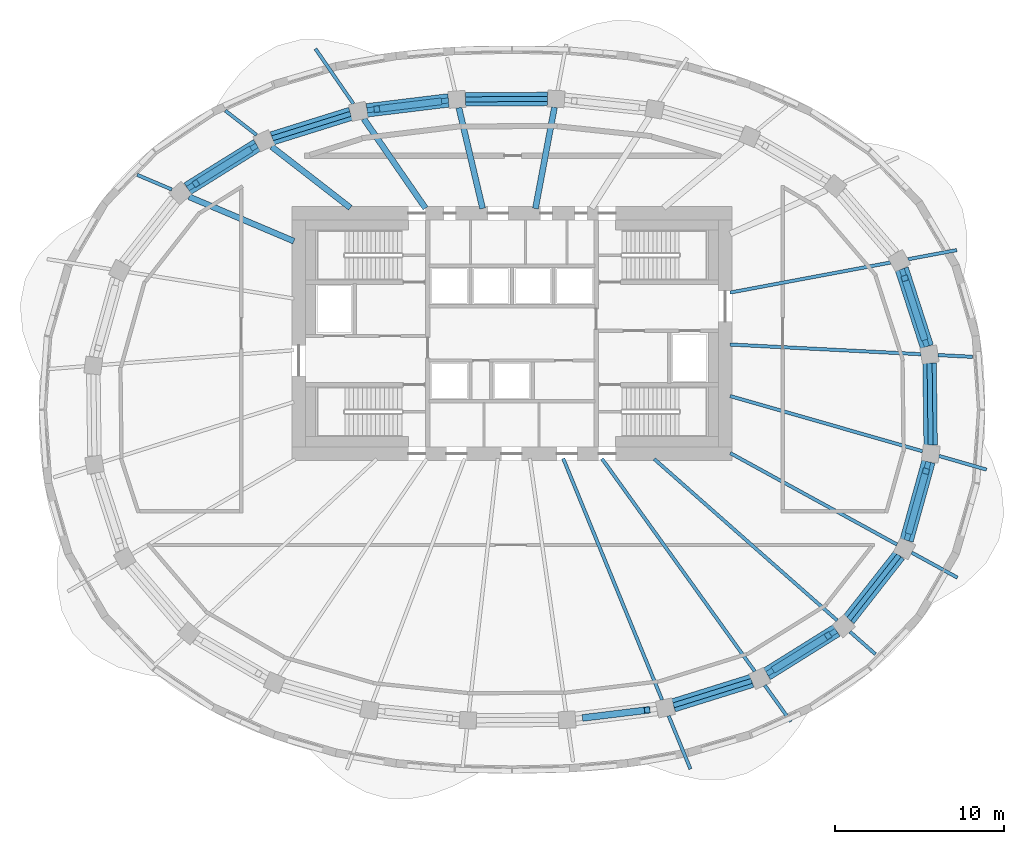
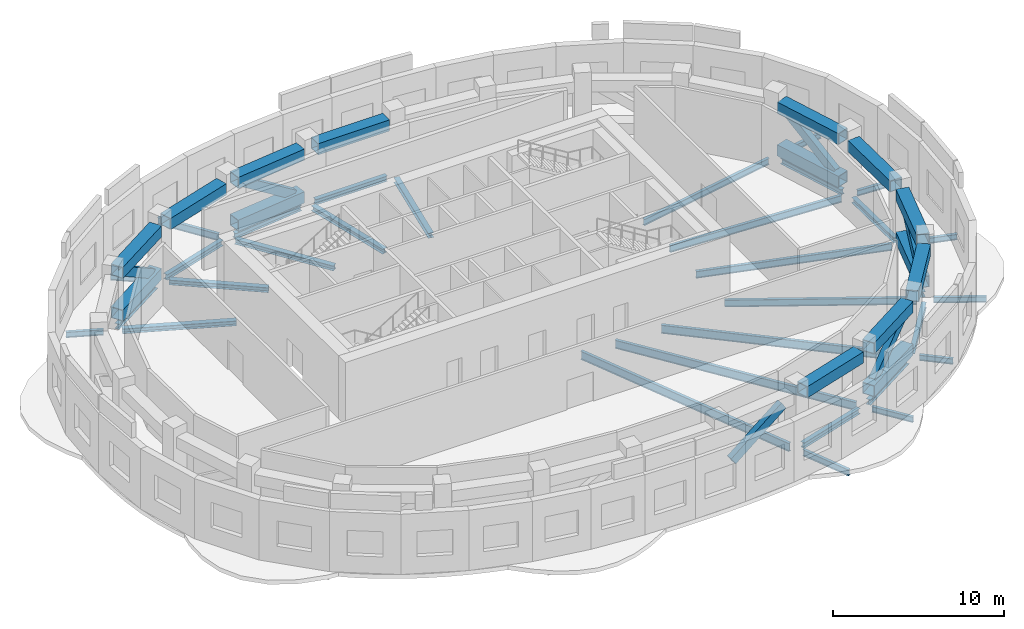
# One storey, part 2 of 9: 32 beams, 21 members.
"""IFC4 building model written with IfcOpenShell, lengths in metres."""

import ifcopenshell
import ifcopenshell.guid

model = None  # the IFC model being written
_history = None  # IfcOwnerHistory: only IFC2X3 demands one
_inside = {}  # id of a spatial element -> (the spatial element, [elements in it])
_under = {}  # id of a project, library or spatial element -> (it, [spatial elements below it])
_declared = {}  # id of a project -> (the project, [libraries it declares])
_typed = {}  # id of a type object -> (the type object, [elements of that type])
_made_of = {}  # id of a material, layer set ... -> (it, [elements and type objects made of it])


def new_model(schema):
    """Start an empty IFC model of exactly this schema.

    Asked for "IFC4X3", IfcOpenShell would pick the latest addendum, in which some entities
    have other attributes; the version numbers below select the first issue.
    IFC2X3 requires an IfcOwnerHistory on every rooted entity: one is made here for all.
    """
    global model, _history
    if schema == "IFC4X3":
        model = ifcopenshell.file(schema_version=(4, 3, 0, 0))
    else:
        model = ifcopenshell.file(schema=schema)
    _inside.clear()
    _under.clear()
    _declared.clear()
    _typed.clear()
    _made_of.clear()
    _history = None
    if model.schema == "IFC2X3":
        org = make("IfcOrganization", Name="unknown")
        user = make(
            "IfcPersonAndOrganization",
            ThePerson=make("IfcPerson", FamilyName="unknown"),
            TheOrganization=org,
        )
        app = make(
            "IfcApplication",
            ApplicationDeveloper=org,
            Version="unknown",
            ApplicationFullName="unknown",
            ApplicationIdentifier="unknown",
        )
        _history = make(
            "IfcOwnerHistory",
            OwningUser=user,
            OwningApplication=app,
            ChangeAction="ADDED",
            CreationDate=0,
        )
    return model


def make(cls, **values):
    """One entity of the class cls with the attributes given. An attribute that is None is left unset."""
    return model.create_entity(
        cls, **{name: value for name, value in values.items() if value is not None}
    )


def rooted(cls, **values):
    """An entity with a GlobalId (a new one), such as an element, a storey or a relation."""
    return make(cls, GlobalId=ifcopenshell.guid.new(), OwnerHistory=_history, **values)


def si_unit(unit_type, name, prefix=None):
    """IfcSIUnit, for example si_unit("LENGTHUNIT", "METRE", prefix="MILLI")."""
    return make("IfcSIUnit", UnitType=unit_type, Prefix=prefix, Name=name)


def assignment(units):
    """IfcUnitAssignment: the units of a project."""
    return None if units is None else make("IfcUnitAssignment", Units=units)


def point(xyz):
    """IfcCartesianPoint."""
    return None if xyz is None else make("IfcCartesianPoint", Coordinates=xyz)


def direction(xyz):
    """IfcDirection."""
    return None if xyz is None else make("IfcDirection", DirectionRatios=xyz)


def frame(location, z_axis=None, x_axis=None):
    """IfcAxis2Placement3D, a coordinate frame: its origin and axes. An axis left out is left unset."""
    return make(
        "IfcAxis2Placement3D",
        Location=point(location),
        Axis=direction(z_axis),
        RefDirection=direction(x_axis),
    )


def frame_2d(location, x_axis=None):
    """IfcAxis2Placement2D, a coordinate frame in the plane: its origin and x axis."""
    return make(
        "IfcAxis2Placement2D", Location=point(location), RefDirection=direction(x_axis)
    )


def origin():
    """The frame at (0, 0, 0) with its axes left unset."""
    return frame((0.0, 0.0, 0.0))


def origin_2d():
    """The frame at (0, 0) in the plane with its x axis left unset."""
    return frame_2d((0.0, 0.0))


def place(relative_to, where):
    """IfcLocalPlacement: puts the frame where relative to a parent placement (None: the world)."""
    return make(
        "IfcLocalPlacement", PlacementRelTo=relative_to, RelativePlacement=where
    )


def context(
    kind, dimensions, precision=None, world=None, true_north=None, identifier=None
):
    """IfcGeometricRepresentationContext, for example the 3D "Model" context."""
    return make(
        "IfcGeometricRepresentationContext",
        ContextIdentifier=identifier,
        ContextType=kind,
        CoordinateSpaceDimension=dimensions,
        Precision=precision,
        WorldCoordinateSystem=world,
        TrueNorth=true_north,
    )


def subcontext(parent, identifier, kind, view, scale=None):
    """IfcGeometricRepresentationSubContext, for example "Body" below "Model"."""
    return make(
        "IfcGeometricRepresentationSubContext",
        ContextIdentifier=identifier,
        ContextType=kind,
        ParentContext=parent,
        TargetScale=scale,
        TargetView=view,
    )


def project(units=None, contexts=None):
    """IfcProject with its units and contexts."""
    return rooted(
        "IfcProject",
        Name="project",
        RepresentationContexts=contexts,
        UnitsInContext=assignment(units),
    )


def spatial(cls, under=None, at=None, **own):
    """A site, building, storey or space (cls), placed at a placement, below another one or the project."""
    s = rooted(cls, ObjectPlacement=at, **own)
    if under is not None:
        _under.setdefault(under.id(), (under, []))[1].append(s)
    return s


def profile(cls, at=None, kind="AREA", **sizes):
    """A parametric profile (cls). Its sizes go by their IFC names, for example OverallWidth=200.0."""
    return make(cls, ProfileType=kind, Position=at, **sizes)


def hollow_rectangle(**sizes):
    """IfcRectangleHollowProfileDef."""
    return profile("IfcRectangleHollowProfileDef", **sizes)


def i_section(**sizes):
    """IfcIShapeProfileDef."""
    return profile("IfcIShapeProfileDef", **sizes)


def extrude(swept, where, along, depth):
    """IfcExtrudedAreaSolid: the profile swept, set in the frame where, extruded along a direction by depth."""
    return make(
        "IfcExtrudedAreaSolid",
        SweptArea=swept,
        Position=where,
        ExtrudedDirection=direction(along),
        Depth=depth,
    )


def shape(context_of_items, identifier, shape_type, items):
    """IfcShapeRepresentation: the items that make up one representation, for example the "Body"."""
    return make(
        "IfcShapeRepresentation",
        ContextOfItems=context_of_items,
        RepresentationIdentifier=identifier,
        RepresentationType=shape_type,
        Items=items,
    )


def material(Name=None, Category=None):
    """IfcMaterial."""
    return make("IfcMaterial", Name=Name, Category=Category)


def material_profile(
    of_material, cross_section, Name=None, Category=None, Priority=None
):
    """IfcMaterialProfile: a cross section and its material."""
    return make(
        "IfcMaterialProfile",
        Name=Name,
        Material=of_material,
        Profile=cross_section,
        Priority=Priority,
        Category=Category,
    )


def profile_set(profiles, Name=None, composite=None):
    """IfcMaterialProfileSet."""
    return make(
        "IfcMaterialProfileSet",
        Name=Name,
        MaterialProfiles=profiles,
        CompositeProfile=composite,
    )


def made_of(thing, what):
    """Note that an element or type object is made of a material, layer set ...; save() writes the relation."""
    if what is not None:
        _made_of.setdefault(what.id(), (what, []))[1].append(thing)
    return thing


def type_object(cls, material=None, **own):
    """A type object (cls), such as IfcWallType, which elements share."""
    return made_of(rooted(cls, **own), material)


def element(
    cls,
    number,
    at=None,
    inside=None,
    cuts=None,
    type_object=None,
    material=None,
    context=None,
    identifier="Body",
    shape_type=None,
    held_by="IfcProductDefinitionShape",
    body=None,
    shapes=None,
    **own,
):
    """One element of the class cls, such as IfcWall. Its Tag is "e" and its number.

    at: its placement. inside: the storey or other place that contains it. cuts: it is an
    opening in that element (IfcRelVoidsElement). A single representation is given by context,
    identifier, shape_type and body (its items); several are given by shapes. held_by: the class
    of the entity that holds the representations. save() writes the other relations.
    """
    e = rooted(cls, Tag="e%d" % number, ObjectPlacement=at, **own)
    if body is not None:
        shapes = [shape(context, identifier, shape_type, body)]
    if shapes is not None:
        e.Representation = make(held_by, Representations=shapes)
    if inside is not None:
        _inside.setdefault(inside.id(), (inside, []))[1].append(e)
    if cuts is not None:
        rooted(
            "IfcRelVoidsElement", RelatingBuildingElement=cuts, RelatedOpeningElement=e
        )
    if type_object is not None:
        _typed.setdefault(type_object.id(), (type_object, []))[1].append(e)
    return made_of(e, material)


def aggregate(whole, parts):
    """IfcRelAggregates: a whole, such as a stair, and the parts it consists of."""
    return rooted("IfcRelAggregates", RelatingObject=whole, RelatedObjects=parts)


def save(model, path):
    """Write the relations noted so far, then the file.

    IfcRelAggregates (storeys below a building ...), IfcRelContainedInSpatialStructure (elements
    in a storey), IfcRelDefinesByType, IfcRelAssociatesMaterial and IfcRelDeclares: one each for
    every whole, place, type object, material and project.
    """
    for whole, parts in _under.values():
        aggregate(whole, parts)
    for where, things in _inside.values():
        rooted(
            "IfcRelContainedInSpatialStructure",
            RelatedElements=things,
            RelatingStructure=where,
        )
    for kind, things in _typed.values():
        rooted("IfcRelDefinesByType", RelatedObjects=things, RelatingType=kind)
    for what, things in _made_of.values():
        rooted("IfcRelAssociatesMaterial", RelatedObjects=things, RelatingMaterial=what)
    for by, libraries in _declared.values():
        rooted("IfcRelDeclares", RelatingContext=by, RelatedDefinitions=libraries)
    model.write(path)


model = new_model("IFC4")

# Units and contexts
model_context = context("Model", 3, precision=1e-05, world=origin(), true_north=direction((0.0, 1.0)))
body_context = subcontext(model_context, "Body", "Model", "MODEL_VIEW")
ifc_project = project(units=[si_unit("LENGTHUNIT", "METRE"), si_unit("AREAUNIT", "SQUARE_METRE"), si_unit("VOLUMEUNIT", "CUBIC_METRE"), si_unit("PLANEANGLEUNIT", "RADIAN"), si_unit("MASSUNIT", "GRAM", prefix="KILO")], contexts=[model_context])

# Site, building, storey
site_placement = place(None, origin())
site = spatial("IfcSite", under=ifc_project, at=site_placement, CompositionType="ELEMENT")
building_placement = place(site_placement, origin())
building = spatial("IfcBuilding", under=site, at=building_placement, Name="Rubra Terraces Tower", CompositionType="ELEMENT")
storey_placement = place(building_placement, frame((0.0, 0.0, 216.89990234375)))
storey = spatial("IfcBuildingStorey", under=building, at=storey_placement, Name="L53", CompositionType="ELEMENT", Elevation=216.89990234375)

# Members
ifc_material = material(Name="Steel Q355B", Category="steel")
ifc_material_profile_1 = material_profile(ifc_material, hollow_rectangle(XDim=0.800048828125, YDim=0.800048828125, WallThickness=0.0400390625, at=origin_2d()), Name="BOX 800x800x40")
ifc_profile_set_1 = profile_set([ifc_material_profile_1], Name="Steel Q355B")
member_type_1 = type_object("IfcMemberType", Name="BELT TRUSS BOTTOM CHORD R5 BOX 800x800x40", PredefinedType="CHORD", material=ifc_profile_set_1)
member_1_placement = place(storey_placement, frame((24.514892578125, 3.72412109375, 0.400146484375), z_axis=(-0.307431894186, 0.951570086981, 0.0), x_axis=(-0.951570086981, -0.307431894186, 0.0)))
element("IfcMember", 1, at=member_1_placement, inside=storey, type_object=member_type_1, Name="BELT TRUSS CHORD R5", PredefinedType="CHORD", context=body_context, shape_type="SweptSolid", body=[
    extrude(hollow_rectangle(XDim=0.800048828125, YDim=0.800048828125, WallThickness=0.0400390625, at=origin_2d()), origin(), (0.0, 0.0, 1.0), 4.8203125),
])
member_2_placement = place(storey_placement, frame((-3.75, 18.27001953125, 0.400146484375), z_axis=(-0.992706801256, -0.120553750421, 0.0), x_axis=(0.120553750421, -0.992706801256, 0.0)))
element("IfcMember", 2, at=member_2_placement, inside=storey, type_object=member_type_1, Name="BELT TRUSS CHORD R5", PredefinedType="CHORD", context=body_context, shape_type="SweptSolid", body=[
    extrude(hollow_rectangle(XDim=0.800048828125, YDim=0.800048828125, WallThickness=0.0400390625, at=origin_2d()), origin(), (0.0, 0.0, 1.0), 4.852294921875),
])
for number, where, z_axis, x_axis, name in (
    (3, (-15.06689453125, 15.615966796875, 0.400146484375), (-0.848253468241, -0.529590458389, 0.0), (0.529590458389, -0.848253468241, 0.0), "BELT TRUSS CHORD R5"),
    (4, (15.06689453125, -15.615966796875, 0.400146484375), (0.848253468241, 0.529590458389, 0.0), (-0.529590458389, 0.848253468241, 0.0), "BELT TRUSS CHORD R5"),
):
    element("IfcMember", number, at=place(storey_placement, frame(where, z_axis=z_axis, x_axis=x_axis)), inside=storey, type_object=member_type_1, Name=name, PredefinedType="CHORD", context=body_context, shape_type="SweptSolid", body=[
        extrude(hollow_rectangle(XDim=0.800048828125, YDim=0.800048828125, WallThickness=0.0400390625, at=origin_2d()), origin(), (0.0, 0.0, 1.0), 4.8359375),
    ])
member_3_placement = place(storey_placement, frame((23.319091796875, -7.72802734375, 0.400146484375), z_axis=(0.267445424501, 0.963573009644, 0.0), x_axis=(-0.963573009644, 0.267445424501, 0.0)))
element("IfcMember", 5, at=member_3_placement, inside=storey, type_object=member_type_1, Name="BELT TRUSS CHORD R5", PredefinedType="CHORD", context=body_context, shape_type="SweptSolid", body=[
    extrude(hollow_rectangle(XDim=0.800048828125, YDim=0.800048828125, WallThickness=0.0400390625, at=origin_2d()), origin(), (0.0, 0.0, 1.0), 4.82275390625),
])
ifc_material_profile_2 = material_profile(ifc_material, hollow_rectangle(XDim=0.39990234375, YDim=0.60009765625, WallThickness=0.02490234375, at=origin_2d()), Name="BOX 600x400x25")
ifc_profile_set_2 = profile_set([ifc_material_profile_2], Name="Steel Q355B")
member_type_2 = type_object("IfcMemberType", Name="BELT TRUSS DIAGONAL R5 BOX 600x400x25", PredefinedType="BRACE", material=ifc_profile_set_2)
member_4_placement = place(storey_placement, frame((24.3369140625, 4.27392578125, 0.7001953125), z_axis=(-0.255318687059, 0.79070182291, 0.556419801307), x_axis=(-0.951619408017, -0.307279192731, 0.0)))
element("IfcMember", 6, at=member_4_placement, inside=storey, type_object=member_type_2, Name="BELT TRUSS DIAGONAL R5", PredefinedType="BRACE", context=body_context, shape_type="SweptSolid", body=[
    extrude(hollow_rectangle(XDim=0.39990234375, YDim=0.60009765625, WallThickness=0.02490234375, at=origin_2d()), origin(), (0.0, 0.0, 1.0), 4.41015625),
])
member_5_placement = place(storey_placement, frame((-4.327880859375, 18.199951171875, 0.7001953125), z_axis=(-0.826472494613, -0.100470749378, 0.553939386727), x_axis=(0.120677322458, -0.992691786933, 0.0)))
element("IfcMember", 7, at=member_5_placement, inside=storey, type_object=member_type_2, Name="BELT TRUSS DIAGONAL R5", PredefinedType="BRACE", context=body_context, shape_type="SweptSolid", body=[
    extrude(hollow_rectangle(XDim=0.39990234375, YDim=0.60009765625, WallThickness=0.02490234375, at=origin_2d()), origin(), (0.0, 0.0, 1.0), 4.429931640625),
])
member_6_placement = place(storey_placement, frame((-15.55908203125, 15.30908203125, 0.7001953125), z_axis=(-0.70545989152, -0.440532662663, 0.555209252969), x_axis=(0.529670549679, -0.848203459556, 0.0)))
element("IfcMember", 8, at=member_6_placement, inside=storey, type_object=member_type_2, Name="BELT TRUSS DIAGONAL R5", PredefinedType="BRACE", context=body_context, shape_type="SweptSolid", body=[
    extrude(hollow_rectangle(XDim=0.39990234375, YDim=0.60009765625, WallThickness=0.02490234375, at=origin_2d()), origin(), (0.0, 0.0, 1.0), 4.419677734375),
])
member_7_placement = place(storey_placement, frame((4.327880859375, -18.199951171875, 0.7001953125), z_axis=(0.826472494613, 0.100470749378, 0.553939386727), x_axis=(-0.120677322458, 0.992691786933, 0.0)))
element("IfcMember", 9, at=member_7_placement, inside=storey, type_object=member_type_2, Name="BELT TRUSS DIAGONAL R5", PredefinedType="BRACE", context=body_context, shape_type="SweptSolid", body=[
    extrude(hollow_rectangle(XDim=0.39990234375, YDim=0.60009765625, WallThickness=0.02490234375, at=origin_2d()), origin(), (0.0, 0.0, 1.0), 4.429931640625),
])
member_8_placement = place(storey_placement, frame((15.55908203125, -15.30908203125, 0.7001953125), z_axis=(0.70545989152, 0.440532662663, 0.555209252969), x_axis=(-0.529670549679, 0.848203459556, 0.0)))
element("IfcMember", 10, at=member_8_placement, inside=storey, type_object=member_type_2, Name="BELT TRUSS DIAGONAL R5", PredefinedType="BRACE", context=body_context, shape_type="SweptSolid", body=[
    extrude(hollow_rectangle(XDim=0.39990234375, YDim=0.60009765625, WallThickness=0.02490234375, at=origin_2d()), origin(), (0.0, 0.0, 1.0), 4.419677734375),
])
member_9_placement = place(storey_placement, frame((23.47412109375, -7.1708984375, 0.7001953125), z_axis=(0.22212942363, 0.800805901682, 0.556208977804), x_axis=(-0.96361610708, 0.267290101155, 0.0)))
element("IfcMember", 11, at=member_9_placement, inside=storey, type_object=member_type_2, Name="BELT TRUSS DIAGONAL R5", PredefinedType="BRACE", context=body_context, shape_type="SweptSolid", body=[
    extrude(hollow_rectangle(XDim=0.39990234375, YDim=0.60009765625, WallThickness=0.02490234375, at=origin_2d()), origin(), (0.0, 0.0, 1.0), 4.411865234375),
])
ifc_material_profile_3 = material_profile(ifc_material, hollow_rectangle(XDim=0.800048828125, YDim=0.800048828125, WallThickness=0.0400390625, at=origin_2d()), Name="BOX 800x800x40")
ifc_profile_set_3 = profile_set([ifc_material_profile_3], Name="Steel Q355B")
member_type_3 = type_object("IfcMemberType", Name="BELT TRUSS TOP CHORD R5 BOX 800x800x40", PredefinedType="CHORD", material=ifc_profile_set_3)
member_10_placement = place(storey_placement, frame((24.514892578125, 3.72412109375, 3.4541015625), z_axis=(-0.307431894186, 0.951570086981, 0.0), x_axis=(-0.951570086981, -0.307431894186, 0.0)))
element("IfcMember", 12, at=member_10_placement, inside=storey, type_object=member_type_3, Name="BELT TRUSS CHORD R5", PredefinedType="CHORD", context=body_context, shape_type="SweptSolid", body=[
    extrude(hollow_rectangle(XDim=0.800048828125, YDim=0.800048828125, WallThickness=0.0400390625, at=origin_2d()), origin(), (0.0, 0.0, 1.0), 4.8203125),
])
member_11_placement = place(storey_placement, frame((2.10205078125, 18.35595703125, 3.4541015625), z_axis=(-0.999987862068, -0.00492703924, 0.0), x_axis=(0.00492703924, -0.999987862068, 0.0)))
element("IfcMember", 13, at=member_11_placement, inside=storey, type_object=member_type_3, Name="BELT TRUSS CHORD R5", PredefinedType="CHORD", context=body_context, shape_type="SweptSolid", body=[
    extrude(hollow_rectangle(XDim=0.800048828125, YDim=0.800048828125, WallThickness=0.0400390625, at=origin_2d()), origin(), (0.0, 0.0, 1.0), 4.85595703125),
])
member_12_placement = place(storey_placement, frame((-3.75, 18.27001953125, 3.4541015625), z_axis=(-0.992706801256, -0.120553750421, 0.0), x_axis=(0.120553750421, -0.992706801256, 0.0)))
element("IfcMember", 14, at=member_12_placement, inside=storey, type_object=member_type_3, Name="BELT TRUSS CHORD R5", PredefinedType="CHORD", context=body_context, shape_type="SweptSolid", body=[
    extrude(hollow_rectangle(XDim=0.800048828125, YDim=0.800048828125, WallThickness=0.0400390625, at=origin_2d()), origin(), (0.0, 0.0, 1.0), 4.852294921875),
])
member_13_placement = place(storey_placement, frame((-9.5400390625, 17.47607421875, 3.4541015625), z_axis=(-0.954454878123, -0.298355300988, 0.0), x_axis=(0.298355300988, -0.954454878123, 0.0)))
element("IfcMember", 15, at=member_13_placement, inside=storey, type_object=member_type_3, Name="BELT TRUSS CHORD R5", PredefinedType="CHORD", context=body_context, shape_type="SweptSolid", body=[
    extrude(hollow_rectangle(XDim=0.800048828125, YDim=0.800048828125, WallThickness=0.0400390625, at=origin_2d()), origin(), (0.0, 0.0, 1.0), 4.8466796875),
])
member_14_placement = place(storey_placement, frame((-15.06689453125, 15.615966796875, 3.4541015625), z_axis=(-0.848253468241, -0.529590458389, 0.0), x_axis=(0.529590458389, -0.848253468241, 0.0)))
element("IfcMember", 16, at=member_14_placement, inside=storey, type_object=member_type_3, Name="BELT TRUSS CHORD R5", PredefinedType="CHORD", context=body_context, shape_type="SweptSolid", body=[
    extrude(hollow_rectangle(XDim=0.800048828125, YDim=0.800048828125, WallThickness=0.0400390625, at=origin_2d()), origin(), (0.0, 0.0, 1.0), 4.8359375),
])
member_15_placement = place(storey_placement, frame((9.5400390625, -17.47607421875, 3.4541015625), z_axis=(0.954454878123, 0.298355300988, 0.0), x_axis=(-0.298355300988, 0.954454878123, 0.0)))
element("IfcMember", 17, at=member_15_placement, inside=storey, type_object=member_type_3, Name="BELT TRUSS CHORD R5", PredefinedType="CHORD", context=body_context, shape_type="SweptSolid", body=[
    extrude(hollow_rectangle(XDim=0.800048828125, YDim=0.800048828125, WallThickness=0.0400390625, at=origin_2d()), origin(), (0.0, 0.0, 1.0), 4.8466796875),
])
member_16_placement = place(storey_placement, frame((15.06689453125, -15.615966796875, 3.4541015625), z_axis=(0.848253468241, 0.529590458389, 0.0), x_axis=(-0.529590458389, 0.848253468241, 0.0)))
element("IfcMember", 18, at=member_16_placement, inside=storey, type_object=member_type_3, Name="BELT TRUSS CHORD R5", PredefinedType="CHORD", context=body_context, shape_type="SweptSolid", body=[
    extrude(hollow_rectangle(XDim=0.800048828125, YDim=0.800048828125, WallThickness=0.0400390625, at=origin_2d()), origin(), (0.0, 0.0, 1.0), 4.8359375),
])
member_17_placement = place(storey_placement, frame((19.902099609375, -12.39697265625, 3.4541015625), z_axis=(0.616913035457, 0.787031325097, 0.0), x_axis=(-0.787031325097, 0.616913035457, 0.0)))
element("IfcMember", 19, at=member_17_placement, inside=storey, type_object=member_type_3, Name="BELT TRUSS CHORD R5", PredefinedType="CHORD", context=body_context, shape_type="SweptSolid", body=[
    extrude(hollow_rectangle(XDim=0.800048828125, YDim=0.800048828125, WallThickness=0.0400390625, at=origin_2d()), origin(), (0.0, 0.0, 1.0), 4.820556640625),
])
member_18_placement = place(storey_placement, frame((23.319091796875, -7.72802734375, 3.4541015625), z_axis=(0.267445424501, 0.963573009644, 0.0), x_axis=(-0.963573009644, 0.267445424501, 0.0)))
element("IfcMember", 20, at=member_18_placement, inside=storey, type_object=member_type_3, Name="BELT TRUSS CHORD R5", PredefinedType="CHORD", context=body_context, shape_type="SweptSolid", body=[
    extrude(hollow_rectangle(XDim=0.800048828125, YDim=0.800048828125, WallThickness=0.0400390625, at=origin_2d()), origin(), (0.0, 0.0, 1.0), 4.82275390625),
])
member_19_placement = place(storey_placement, frame((24.737060546875, -2.09912109375, 3.4541015625), z_axis=(-0.012792344936, 0.999918174608, 0.0), x_axis=(-0.999918174608, -0.012792344936, 0.0)))
element("IfcMember", 21, at=member_19_placement, inside=storey, type_object=member_type_3, Name="BELT TRUSS CHORD R5", PredefinedType="CHORD", context=body_context, shape_type="SweptSolid", body=[
    extrude(hollow_rectangle(XDim=0.800048828125, YDim=0.800048828125, WallThickness=0.0400390625, at=origin_2d()), origin(), (0.0, 0.0, 1.0), 4.84765625),
])

# Beams
ifc_material_profile_4 = material_profile(ifc_material, i_section(OverallWidth=0.199951171875, OverallDepth=0.39990234375, WebThickness=0.008056640625, FlangeThickness=0.012939453125, at=origin_2d()), Name="HN 400x200x8x13")
ifc_profile_set_4 = profile_set([ifc_material_profile_4], Name="Steel Q355B")
beam_type_1 = type_object("IfcBeamType", Name="CANTILEVER BEAM HN 400x200x8x13", PredefinedType="BEAM", material=ifc_profile_set_4)
beam_1_placement = place(storey_placement, frame((25.179931640625, 3.221923828125, -0.5), z_axis=(0.99870842359, -0.05080831281, 0.0), x_axis=(0.05080831281, 0.99870842359, 0.0)))
element("IfcBeam", 22, at=beam_1_placement, inside=storey, type_object=beam_type_1, Name="beam-L53-cant-01", PredefinedType="BEAM", context=body_context, shape_type="SweptSolid", body=[
    extrude(i_section(OverallWidth=0.199951171875, OverallDepth=0.39990234375, WebThickness=0.008056640625, FlangeThickness=0.012939453125, at=origin_2d()), origin(), (0.0, 0.0, 1.0), 2.02783203125),
])
beam_2_placement = place(storey_placement, frame((23.39794921875, 8.884033203125, -0.5), z_axis=(0.982856170911, 0.184373933356, 0.0), x_axis=(-0.184373933356, 0.982856170911, 0.0)))
element("IfcBeam", 23, at=beam_2_placement, inside=storey, type_object=beam_type_1, Name="beam-L53-cant-02", PredefinedType="BEAM", context=body_context, shape_type="SweptSolid", body=[
    extrude(i_section(OverallWidth=0.199951171875, OverallDepth=0.39990234375, WebThickness=0.008056640625, FlangeThickness=0.012939453125, at=origin_2d()), origin(), (0.0, 0.0, 1.0), 2.934326171875),
])
beam_3_placement = place(storey_placement, frame((-15.087890625, 16.22705078125, -0.5), z_axis=(-0.789487046364, 0.613767222669, 0.0), x_axis=(-0.613767222669, -0.789487046364, 0.0)))
element("IfcBeam", 24, at=beam_3_placement, inside=storey, type_object=beam_type_1, Name="beam-L53-cant-09", PredefinedType="BEAM", context=body_context, shape_type="SweptSolid", body=[
    extrude(i_section(OverallWidth=0.199951171875, OverallDepth=0.39990234375, WebThickness=0.008056640625, FlangeThickness=0.012939453125, at=origin_2d()), origin(), (0.0, 0.0, 1.0), 2.339599609375),
])
beam_4_placement = place(storey_placement, frame((-20.10205078125, 13.0048828125, -0.5), z_axis=(-0.920797229699, 0.390041615445, 0.0), x_axis=(-0.390041615445, -0.920797229699, 0.0)))
element("IfcBeam", 25, at=beam_4_placement, inside=storey, type_object=beam_type_1, Name="beam-L53-cant-10", PredefinedType="BEAM", context=body_context, shape_type="SweptSolid", body=[
    extrude(i_section(OverallWidth=0.199951171875, OverallDepth=0.39990234375, WebThickness=0.008056640625, FlangeThickness=0.012939453125, at=origin_2d()), origin(), (0.0, 0.0, 1.0), 2.220703125),
])
beam_5_placement = place(storey_placement, frame((14.93994140625, -16.294921875, -0.5), z_axis=(0.583708638616, -0.811963192026, 0.0), x_axis=(0.811963192026, 0.583708638616, 0.0)))
element("IfcBeam", 26, at=beam_5_placement, inside=storey, type_object=beam_type_1, Name="beam-L53-cant-21", PredefinedType="BEAM", context=body_context, shape_type="SweptSolid", body=[
    extrude(i_section(OverallWidth=0.199951171875, OverallDepth=0.39990234375, WebThickness=0.008056640625, FlangeThickness=0.012939453125, at=origin_2d()), origin(), (0.0, 0.0, 1.0), 2.63330078125),
])
beam_6_placement = place(storey_placement, frame((19.969970703125, -13.123046875, -0.5), z_axis=(0.749880449764, -0.661573360303, 0.0), x_axis=(0.661573360303, 0.749880449764, 0.0)))
element("IfcBeam", 27, at=beam_6_placement, inside=storey, type_object=beam_type_1, Name="beam-L53-cant-22", PredefinedType="BEAM", context=body_context, shape_type="SweptSolid", body=[
    extrude(i_section(OverallWidth=0.199951171875, OverallDepth=0.39990234375, WebThickness=0.008056640625, FlangeThickness=0.012939453125, at=origin_2d()), origin(), (0.0, 0.0, 1.0), 2.007080078125),
])
beam_7_placement = place(storey_placement, frame((23.6240234375, -8.449951171875, -0.5), z_axis=(0.876753057926, -0.480940823197, 0.0), x_axis=(0.480940823197, 0.876753057926, 0.0)))
element("IfcBeam", 28, at=beam_7_placement, inside=storey, type_object=beam_type_1, Name="beam-L53-cant-23", PredefinedType="BEAM", context=body_context, shape_type="SweptSolid", body=[
    extrude(i_section(OverallWidth=0.199951171875, OverallDepth=0.39990234375, WebThickness=0.008056640625, FlangeThickness=0.012939453125, at=origin_2d()), origin(), (0.0, 0.0, 1.0), 3.0771484375),
])
beam_8_placement = place(storey_placement, frame((25.22900390625, -2.738037109375, -0.5), z_axis=(0.961186154609, -0.275900663625, 0.0), x_axis=(0.275900663625, 0.961186154609, 0.0)))
element("IfcBeam", 29, at=beam_8_placement, inside=storey, type_object=beam_type_1, Name="beam-L53-cant-24", PredefinedType="BEAM", context=body_context, shape_type="SweptSolid", body=[
    extrude(i_section(OverallWidth=0.199951171875, OverallDepth=0.39990234375, WebThickness=0.008056640625, FlangeThickness=0.012939453125, at=origin_2d()), origin(), (0.0, 0.0, 1.0), 2.924560546875),
])
ifc_material_profile_5 = material_profile(ifc_material, i_section(OverallWidth=0.198974609375, OverallDepth=0.446044921875, WebThickness=0.008056640625, FlangeThickness=0.011962890625, at=origin_2d()), Name="HN 446x199x8x12")
ifc_profile_set_5 = profile_set([ifc_material_profile_5], Name="Steel Q355B")
beam_type_2 = type_object("IfcBeamType", Name="CANTILEVER BEAM HN 446x199x8x12", PredefinedType="BEAM", material=ifc_profile_set_5)
beam_9_placement = place(storey_placement, frame((9.256103515625, -18.094970703125, -0.52294921875), z_axis=(0.378957804719, -0.925413951831, 0.0), x_axis=(0.925413951831, 0.378957804719, 0.0)))
element("IfcBeam", 30, at=beam_9_placement, inside=storey, type_object=beam_type_2, Name="beam-L53-cant-20", PredefinedType="BEAM", context=body_context, shape_type="SweptSolid", body=[
    extrude(i_section(OverallWidth=0.198974609375, OverallDepth=0.446044921875, WebThickness=0.008056640625, FlangeThickness=0.011962890625, at=origin_2d()), origin(), (0.0, 0.0, 1.0), 3.393310546875),
])
ifc_material_profile_6 = material_profile(ifc_material, i_section(OverallWidth=0.198974609375, OverallDepth=0.49609375, WebThickness=0.009033203125, FlangeThickness=0.013916015625, at=origin_2d()), Name="HN 496x199x9x14")
ifc_profile_set_6 = profile_set([ifc_material_profile_6], Name="Steel Q355B")
beam_type_3 = type_object("IfcBeamType", Name="CANTILEVER BEAM HN 496x199x9x14", PredefinedType="BEAM", material=ifc_profile_set_6)
beam_10_placement = place(storey_placement, frame((-9.3701171875, 18.070068359375, -0.5478515625), z_axis=(-0.568216621414, 0.822879013676, 0.0), x_axis=(-0.822879013676, -0.568216621414, 0.0)))
element("IfcBeam", 31, at=beam_10_placement, inside=storey, type_object=beam_type_3, Name="beam-L53-cant-08", PredefinedType="BEAM", context=body_context, shape_type="SweptSolid", body=[
    extrude(i_section(OverallWidth=0.198974609375, OverallDepth=0.49609375, WebThickness=0.009033203125, FlangeThickness=0.013916015625, at=origin_2d()), origin(), (0.0, 0.0, 1.0), 3.95068359375),
])
ifc_material_profile_7 = material_profile(ifc_material, i_section(OverallWidth=0.198974609375, OverallDepth=0.446044921875, WebThickness=0.008056640625, FlangeThickness=0.011962890625, at=origin_2d()), Name="HN 446x199x8x12")
ifc_profile_set_7 = profile_set([ifc_material_profile_7], Name="Steel Q355B")
beam_type_4 = type_object("IfcBeamType", Name="FLOOR BEAM HN 446x199x8x12", PredefinedType="BEAM", material=ifc_profile_set_7)
beam_11_placement = place(storey_placement, frame((22.360107421875, 8.68994140625, -0.52294921875), z_axis=(-0.982895681695, -0.18416318553, 0.0), x_axis=(0.18416318553, -0.982895681695, 0.0)))
element("IfcBeam", 32, at=beam_11_placement, inside=storey, type_object=beam_type_4, Name="beam-L53-floor-02", PredefinedType="BEAM", context=body_context, shape_type="SweptSolid", body=[
    extrude(i_section(OverallWidth=0.198974609375, OverallDepth=0.446044921875, WebThickness=0.008056640625, FlangeThickness=0.011962890625, at=origin_2d()), origin(), (0.0, 0.0, 1.0), 9.64306640625),
])
ifc_material_profile_8 = material_profile(ifc_material, i_section(OverallWidth=0.198974609375, OverallDepth=0.49609375, WebThickness=0.009033203125, FlangeThickness=0.013916015625, at=origin_2d()), Name="HN 496x199x9x14")
ifc_profile_set_8 = profile_set([ifc_material_profile_8], Name="Steel Q355B")
beam_type_5 = type_object("IfcBeamType", Name="FLOOR BEAM HN 496x199x9x14", PredefinedType="BEAM", material=ifc_profile_set_8)
beam_12_placement = place(storey_placement, frame((24.157958984375, 3.27392578125, -0.5478515625), z_axis=(-0.998716228561, 0.050654662269, 0.0), x_axis=(-0.050654662269, -0.998716228561, 0.0)))
element("IfcBeam", 33, at=beam_12_placement, inside=storey, type_object=beam_type_5, Name="beam-L53-floor-01", PredefinedType="BEAM", context=body_context, shape_type="SweptSolid", body=[
    extrude(i_section(OverallWidth=0.198974609375, OverallDepth=0.49609375, WebThickness=0.009033203125, FlangeThickness=0.013916015625, at=origin_2d()), origin(), (0.0, 0.0, 1.0), 11.29248046875),
])
beam_13_placement = place(storey_placement, frame((22.74609375, -7.969970703125, -0.5478515625), z_axis=(-0.876862055903, 0.480742066932, 0.0), x_axis=(-0.480742066932, -0.876862055903, 0.0)))
element("IfcBeam", 34, at=beam_13_placement, inside=storey, type_object=beam_type_5, Name="beam-L53-floor-23", PredefinedType="BEAM", context=body_context, shape_type="SweptSolid", body=[
    extrude(i_section(OverallWidth=0.198974609375, OverallDepth=0.49609375, WebThickness=0.009033203125, FlangeThickness=0.013916015625, at=origin_2d()), origin(), (0.0, 0.0, 1.0), 11.234375),
])
beam_14_placement = place(storey_placement, frame((24.257080078125, -2.4599609375, -0.5478515625), z_axis=(-0.961215754667, 0.275797521707, 0.0), x_axis=(-0.275797521707, -0.961215754667, 0.0)))
element("IfcBeam", 35, at=beam_14_placement, inside=storey, type_object=beam_type_5, Name="beam-L53-floor-24", PredefinedType="BEAM", context=body_context, shape_type="SweptSolid", body=[
    extrude(i_section(OverallWidth=0.198974609375, OverallDepth=0.49609375, WebThickness=0.009033203125, FlangeThickness=0.013916015625, at=origin_2d()), origin(), (0.0, 0.0, 1.0), 11.830810546875),
])
ifc_material_profile_9 = material_profile(ifc_material, i_section(OverallWidth=0.198974609375, OverallDepth=0.595947265625, WebThickness=0.010009765625, FlangeThickness=0.014892578125, at=origin_2d()), Name="HN 596x199x10x15")
ifc_profile_set_9 = profile_set([ifc_material_profile_9], Name="Steel Q355B")
beam_type_6 = type_object("IfcBeamType", Name="FLOOR BEAM HN 596x199x10x15", PredefinedType="BEAM", material=ifc_profile_set_9)
beam_15_placement = place(storey_placement, frame((8.8701171875, -17.155029296875, -0.597900390625), z_axis=(-0.379015131933, 0.925390474214, 0.0), x_axis=(-0.925390474214, -0.379015131933, 0.0)))
element("IfcBeam", 36, at=beam_15_placement, inside=storey, type_object=beam_type_6, Name="beam-L53-floor-20", PredefinedType="BEAM", context=body_context, shape_type="SweptSolid", body=[
    extrude(i_section(OverallWidth=0.198974609375, OverallDepth=0.595947265625, WebThickness=0.010009765625, FlangeThickness=0.014892578125, at=origin_2d()), origin(), (0.0, 0.0, 1.0), 15.416259765625),
])
beam_16_placement = place(storey_placement, frame((14.345947265625, -15.467041015625, -0.597900390625), z_axis=(-0.583528740197, 0.812092488183, 0.0), x_axis=(-0.812092488183, -0.583528740197, 0.0)))
element("IfcBeam", 37, at=beam_16_placement, inside=storey, type_object=beam_type_6, Name="beam-L53-floor-21", PredefinedType="BEAM", context=body_context, shape_type="SweptSolid", body=[
    extrude(i_section(OverallWidth=0.198974609375, OverallDepth=0.595947265625, WebThickness=0.010009765625, FlangeThickness=0.014892578125, at=origin_2d()), origin(), (0.0, 0.0, 1.0), 15.47119140625),
])
beam_17_placement = place(storey_placement, frame((19.216064453125, -12.45703125, -0.597900390625), z_axis=(-0.749823025288, 0.661638444128, 0.0), x_axis=(-0.661638444128, -0.749823025288, 0.0)))
element("IfcBeam", 38, at=beam_17_placement, inside=storey, type_object=beam_type_6, Name="beam-L53-floor-22", PredefinedType="BEAM", context=body_context, shape_type="SweptSolid", body=[
    extrude(i_section(OverallWidth=0.198974609375, OverallDepth=0.595947265625, WebThickness=0.010009765625, FlangeThickness=0.014892578125, at=origin_2d()), origin(), (0.0, 0.0, 1.0), 14.412841796875),
])
ifc_material_profile_10 = material_profile(ifc_material, i_section(OverallWidth=0.35009765625, OverallDepth=0.35009765625, WebThickness=0.011962890625, FlangeThickness=0.01904296875, at=origin_2d()), Name="HW 350x350x12x19")
ifc_profile_set_10 = profile_set([ifc_material_profile_10], Name="Steel Q355B")
beam_type_7 = type_object("IfcBeamType", Name="FLOOR BEAM HW 350x350x12x19", PredefinedType="BEAM", material=ifc_profile_set_10)
beam_18_placement = place(storey_placement, frame((2.509033203125, 17.862060546875, -0.474853515625), z_axis=(-0.184574398021, -0.982818544593, 0.0), x_axis=(0.982818544593, -0.184574398021, 0.0)))
element("IfcBeam", 39, at=beam_18_placement, inside=storey, type_object=beam_type_7, Name="beam-L53-floor-06", PredefinedType="BEAM", context=body_context, shape_type="SweptSolid", body=[
    extrude(i_section(OverallWidth=0.35009765625, OverallDepth=0.35009765625, WebThickness=0.011962890625, FlangeThickness=0.01904296875, at=origin_2d()), origin(), (0.0, 0.0, 1.0), 6.08447265625),
])
beam_19_placement = place(storey_placement, frame((-3.137939453125, 17.8359375, -0.474853515625), z_axis=(0.229070485592, -0.973409837957, 0.0), x_axis=(0.973409837957, 0.229070485592, 0.0)))
element("IfcBeam", 40, at=beam_19_placement, inside=storey, type_object=beam_type_7, Name="beam-L53-floor-07", PredefinedType="BEAM", context=body_context, shape_type="SweptSolid", body=[
    extrude(i_section(OverallWidth=0.35009765625, OverallDepth=0.35009765625, WebThickness=0.011962890625, FlangeThickness=0.01904296875, at=origin_2d()), origin(), (0.0, 0.0, 1.0), 6.115478515625),
])
beam_20_placement = place(storey_placement, frame((-8.756103515625, 17.179931640625, -0.474853515625), z_axis=(0.568186422001, -0.822899866238, 0.0), x_axis=(0.822899866238, 0.568186422001, 0.0)))
element("IfcBeam", 41, at=beam_20_placement, inside=storey, type_object=beam_type_7, Name="beam-L53-floor-08", PredefinedType="BEAM", context=body_context, shape_type="SweptSolid", body=[
    extrude(i_section(OverallWidth=0.35009765625, OverallDepth=0.35009765625, WebThickness=0.011962890625, FlangeThickness=0.01904296875, at=origin_2d()), origin(), (0.0, 0.0, 1.0), 6.415283203125),
])
beam_21_placement = place(storey_placement, frame((-14.197998046875, 15.534912109375, -0.474853515625), z_axis=(0.789548898228, -0.613687654517, 0.0), x_axis=(0.613687654517, 0.789548898228, 0.0)))
element("IfcBeam", 42, at=beam_21_placement, inside=storey, type_object=beam_type_7, Name="beam-L53-floor-09", PredefinedType="BEAM", context=body_context, shape_type="SweptSolid", body=[
    extrude(i_section(OverallWidth=0.35009765625, OverallDepth=0.35009765625, WebThickness=0.011962890625, FlangeThickness=0.01904296875, at=origin_2d()), origin(), (0.0, 0.0, 1.0), 5.880615234375),
])
beam_22_placement = place(storey_placement, frame((-19.083984375, 12.574951171875, -0.474853515625), z_axis=(0.92097476483, -0.38962223056, 0.0), x_axis=(0.38962223056, 0.92097476483, 0.0)))
element("IfcBeam", 43, at=beam_22_placement, inside=storey, type_object=beam_type_7, Name="beam-L53-floor-10", PredefinedType="BEAM", context=body_context, shape_type="SweptSolid", body=[
    extrude(i_section(OverallWidth=0.35009765625, OverallDepth=0.35009765625, WebThickness=0.011962890625, FlangeThickness=0.01904296875, at=origin_2d()), origin(), (0.0, 0.0, 1.0), 6.7265625),
])
ifc_material_profile_11 = material_profile(ifc_material, i_section(OverallWidth=0.300048828125, OverallDepth=0.389892578125, WebThickness=0.010009765625, FlangeThickness=0.01611328125, at=origin_2d()), Name="HM 390x300x10x16")
ifc_profile_set_11 = profile_set([ifc_material_profile_11], Name="Steel Q355B")
beam_type_8 = type_object("IfcBeamType", Name="SPANDREL BEAM HM 390x300x10x16", PredefinedType="SPANDREL", material=ifc_profile_set_11)
beam_23_placement = place(storey_placement, frame((24.512939453125, 3.72900390625, -0.494873046875), z_axis=(-0.307359002872, 0.951593633519, 0.0), x_axis=(-0.951593633519, -0.307359002872, 0.0)))
element("IfcBeam", 44, at=beam_23_placement, inside=storey, type_object=beam_type_8, Name="beam-L53-spandrel-01", PredefinedType="SPANDREL", context=body_context, shape_type="SweptSolid", body=[
    extrude(i_section(OverallWidth=0.300048828125, OverallDepth=0.389892578125, WebThickness=0.010009765625, FlangeThickness=0.01611328125, at=origin_2d()), origin(), (0.0, 0.0, 1.0), 4.8056640625),
])
beam_24_placement = place(storey_placement, frame((2.10107421875, 18.35595703125, -0.494873046875), z_axis=(-0.999987852299, -0.004929021704, 0.0), x_axis=(0.004929021704, -0.999987852299, 0.0)))
element("IfcBeam", 45, at=beam_24_placement, inside=storey, type_object=beam_type_8, Name="beam-L53-spandrel-06", PredefinedType="SPANDREL", context=body_context, shape_type="SweptSolid", body=[
    extrude(i_section(OverallWidth=0.300048828125, OverallDepth=0.389892578125, WebThickness=0.010009765625, FlangeThickness=0.01611328125, at=origin_2d()), origin(), (0.0, 0.0, 1.0), 4.85400390625),
])
beam_25_placement = place(storey_placement, frame((-3.7509765625, 18.27001953125, -0.494873046875), z_axis=(-0.992698018573, -0.120626049929, 0.0), x_axis=(0.120626049929, -0.992698018573, 0.0)))
element("IfcBeam", 46, at=beam_25_placement, inside=storey, type_object=beam_type_8, Name="beam-L53-spandrel-07", PredefinedType="SPANDREL", context=body_context, shape_type="SweptSolid", body=[
    extrude(i_section(OverallWidth=0.300048828125, OverallDepth=0.389892578125, WebThickness=0.010009765625, FlangeThickness=0.01611328125, at=origin_2d()), origin(), (0.0, 0.0, 1.0), 4.849365234375),
])
beam_26_placement = place(storey_placement, frame((-9.5419921875, 17.47509765625, -0.494873046875), z_axis=(-0.954462027342, -0.298332429282, 0.0), x_axis=(0.298332429282, -0.954462027342, 0.0)))
element("IfcBeam", 47, at=beam_26_placement, inside=storey, type_object=beam_type_8, Name="beam-L53-spandrel-08", PredefinedType="SPANDREL", context=body_context, shape_type="SweptSolid", body=[
    extrude(i_section(OverallWidth=0.300048828125, OverallDepth=0.389892578125, WebThickness=0.010009765625, FlangeThickness=0.01611328125, at=origin_2d()), origin(), (0.0, 0.0, 1.0), 4.840576171875),
])
beam_27_placement = place(storey_placement, frame((-15.071044921875, 15.614013671875, -0.494873046875), z_axis=(-0.848183088492, -0.529703170083, 0.0), x_axis=(0.529703170083, -0.848183088492, 0.0)))
element("IfcBeam", 48, at=beam_27_placement, inside=storey, type_object=beam_type_8, Name="beam-L53-spandrel-09", PredefinedType="SPANDREL", context=body_context, shape_type="SweptSolid", body=[
    extrude(i_section(OverallWidth=0.300048828125, OverallDepth=0.389892578125, WebThickness=0.010009765625, FlangeThickness=0.01611328125, at=origin_2d()), origin(), (0.0, 0.0, 1.0), 4.8232421875),
])
beam_28_placement = place(storey_placement, frame((9.5419921875, -17.47509765625, -0.494873046875), z_axis=(0.954462027342, 0.298332429282, 0.0), x_axis=(-0.298332429282, 0.954462027342, 0.0)))
element("IfcBeam", 49, at=beam_28_placement, inside=storey, type_object=beam_type_8, Name="beam-L53-spandrel-20", PredefinedType="SPANDREL", context=body_context, shape_type="SweptSolid", body=[
    extrude(i_section(OverallWidth=0.300048828125, OverallDepth=0.389892578125, WebThickness=0.010009765625, FlangeThickness=0.01611328125, at=origin_2d()), origin(), (0.0, 0.0, 1.0), 4.840576171875),
])
beam_29_placement = place(storey_placement, frame((15.071044921875, -15.614013671875, -0.494873046875), z_axis=(0.848183088492, 0.529703170083, 0.0), x_axis=(-0.529703170083, 0.848183088492, 0.0)))
element("IfcBeam", 50, at=beam_29_placement, inside=storey, type_object=beam_type_8, Name="beam-L53-spandrel-21", PredefinedType="SPANDREL", context=body_context, shape_type="SweptSolid", body=[
    extrude(i_section(OverallWidth=0.300048828125, OverallDepth=0.389892578125, WebThickness=0.010009765625, FlangeThickness=0.01611328125, at=origin_2d()), origin(), (0.0, 0.0, 1.0), 4.8232421875),
])
beam_30_placement = place(storey_placement, frame((19.906005859375, -12.39111328125, -0.494873046875), z_axis=(0.617060338015, 0.786915840004, 0.0), x_axis=(-0.786915840004, 0.617060338015, 0.0)))
element("IfcBeam", 51, at=beam_30_placement, inside=storey, type_object=beam_type_8, Name="beam-L53-spandrel-22", PredefinedType="SPANDREL", context=body_context, shape_type="SweptSolid", body=[
    extrude(i_section(OverallWidth=0.300048828125, OverallDepth=0.389892578125, WebThickness=0.010009765625, FlangeThickness=0.01611328125, at=origin_2d()), origin(), (0.0, 0.0, 1.0), 4.8037109375),
])
beam_31_placement = place(storey_placement, frame((23.321044921875, -7.718994140625, -0.494873046875), z_axis=(0.267625533012, 0.963523001324, 0.0), x_axis=(-0.963523001324, 0.267625533012, 0.0)))
element("IfcBeam", 52, at=beam_31_placement, inside=storey, type_object=beam_type_8, Name="beam-L53-spandrel-23", PredefinedType="SPANDREL", context=body_context, shape_type="SweptSolid", body=[
    extrude(i_section(OverallWidth=0.300048828125, OverallDepth=0.389892578125, WebThickness=0.010009765625, FlangeThickness=0.01611328125, at=origin_2d()), origin(), (0.0, 0.0, 1.0), 4.808349609375),
])
beam_32_placement = place(storey_placement, frame((24.737060546875, -2.093994140625, -0.494873046875), z_axis=(-0.012822047643, 0.999917794168, 0.0), x_axis=(-0.999917794168, -0.012822047643, 0.0)))
element("IfcBeam", 53, at=beam_32_placement, inside=storey, type_object=beam_type_8, Name="beam-L53-spandrel-24", PredefinedType="SPANDREL", context=body_context, shape_type="SweptSolid", body=[
    extrude(i_section(OverallWidth=0.300048828125, OverallDepth=0.389892578125, WebThickness=0.010009765625, FlangeThickness=0.01611328125, at=origin_2d()), origin(), (0.0, 0.0, 1.0), 4.83642578125),
])

save(model, "model.ifc")
